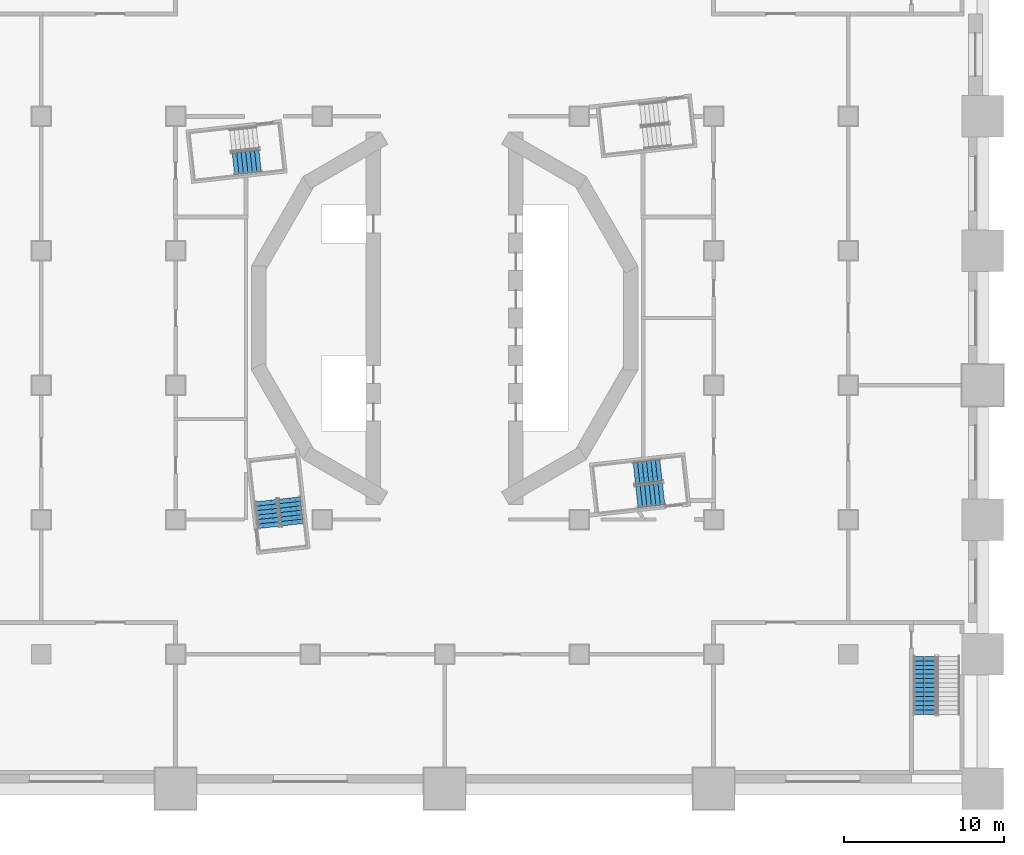
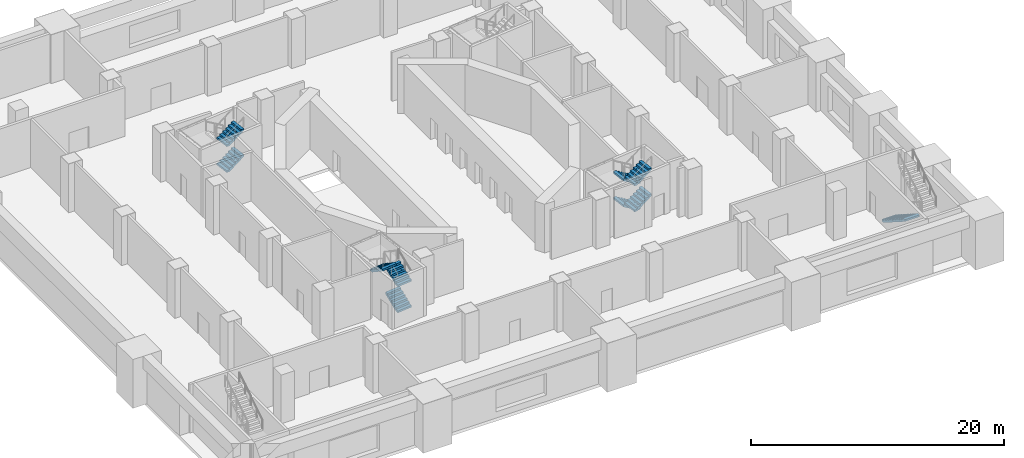
# One storey, part 6 of 17: 10 stair flights, 4 elements without a shape of their own.
"""IFC4 building model written with IfcOpenShell, lengths in metres."""

from ifc_helpers import new_model, si_unit, direction, frame, origin, place, context, subcontext, project, spatial, polyline, outline, extrude, material, type_object, element, aggregate, save


model = new_model("IFC4")

# Units and contexts
model_context = context("Model", 3, precision=1e-05, world=origin(), true_north=direction((0.0, 1.0)))
body_context = subcontext(model_context, "Body", "Model", "MODEL_VIEW")
ifc_project = project(units=[si_unit("LENGTHUNIT", "METRE"), si_unit("AREAUNIT", "SQUARE_METRE"), si_unit("VOLUMEUNIT", "CUBIC_METRE"), si_unit("PLANEANGLEUNIT", "RADIAN"), si_unit("MASSUNIT", "GRAM", prefix="KILO")], contexts=[model_context])

# Site, building, storey
site_placement = place(None, origin())
site = spatial("IfcSite", under=ifc_project, at=site_placement, CompositionType="ELEMENT")
building_placement = place(site_placement, origin())
building = spatial("IfcBuilding", under=site, at=building_placement, Name="Cantera Rosa Tower", CompositionType="ELEMENT")
storey_placement = place(building_placement, frame((0.0, 0.0, 27.0)))
storey = spatial("IfcBuildingStorey", under=building, at=storey_placement, Name="L04", CompositionType="ELEMENT", Elevation=27.0)

# Stair, stair flights
ifc_material_1 = material(Name="Concrete C35/45", Category="concrete")
stair_type_1 = type_object("IfcStairType", Name="EXIT STAIR 1350 DOGLEG", PredefinedType="HALF_TURN_STAIR", material=ifc_material_1)
stair_1_placement = place(storey_placement, origin())
stair_1 = element("IfcStair", 1, at=stair_1_placement, inside=storey, type_object=stair_type_1, Name="L04 ST-12", PredefinedType="HALF_TURN_STAIR")
ifc_material_2 = material(Name="Concrete C35/45", Category="concrete")
stair_flight_type_1 = type_object("IfcStairFlightType", Name="STAIR FLIGHT 1350 R28x179", PredefinedType="STRAIGHT", material=ifc_material_2)
stair_flight_1_placement = place(storey_placement, frame((-13.195556640625, 9.623779296875, 1.25), z_axis=(0.0, 0.0, 1.0), x_axis=(0.993896947056, 0.110312549749, 0.0)))
stair_flight_1 = element("IfcStairFlight", 2, at=stair_flight_1_placement, type_object=stair_flight_type_1, Name="ST-12 flight 2", NumberOfRisers=7, NumberOfTreads=6, PredefinedType="STRAIGHT", RiserHeight=0.178571429, TreadLength=0.28, context=body_context, shape_type="SweptSolid", body=[
    extrude(outline(polyline([(0.0, 0.0), (0.0, 0.178466796875), (0.280029296875, 0.178466796875), (0.280029296875, 0.357177734375), (0.56005859375, 0.357177734375), (0.56005859375, 0.53564453125), (0.840087890625, 0.53564453125), (0.840087890625, 0.71435546875), (1.1201171875, 0.71435546875), (1.1201171875, 0.892822265625), (1.39990234375, 0.892822265625), (1.39990234375, 1.071533203125), (1.679931640625, 1.071533203125), (1.679931640625, 1.25), (1.679931640625, 0.8935546875), (0.27880859375, 0.0), (0.0, 0.0)])), frame((0.0, 0.675048828125, 0.0), z_axis=(0.0, -1.0, 0.0), x_axis=(1.0, 0.0, 0.0)), (0.0, 0.0, 1.0), 0.3359375),
    extrude(outline(polyline([(0.0, 0.0), (0.0, 0.178466796875), (0.280029296875, 0.178466796875), (0.280029296875, 0.357177734375), (0.56005859375, 0.357177734375), (0.56005859375, 0.53564453125), (0.840087890625, 0.53564453125), (0.840087890625, 0.71435546875), (1.1201171875, 0.71435546875), (1.1201171875, 0.892822265625), (1.39990234375, 0.892822265625), (1.39990234375, 1.071533203125), (1.679931640625, 1.071533203125), (1.679931640625, 1.25), (1.679931640625, 0.8935546875), (0.27880859375, 0.0), (0.0, 0.0)])), frame((0.0, 0.337158203125, 0.0), z_axis=(0.0, -1.0, 0.0), x_axis=(1.0, 0.0, 0.0)), (0.0, 0.0, 1.0), 0.3359375),
    extrude(outline(polyline([(0.0, 0.0), (0.0, 0.178466796875), (0.280029296875, 0.178466796875), (0.280029296875, 0.357177734375), (0.56005859375, 0.357177734375), (0.56005859375, 0.53564453125), (0.840087890625, 0.53564453125), (0.840087890625, 0.71435546875), (1.1201171875, 0.71435546875), (1.1201171875, 0.892822265625), (1.39990234375, 0.892822265625), (1.39990234375, 1.071533203125), (1.679931640625, 1.071533203125), (1.679931640625, 1.25), (1.679931640625, 0.8935546875), (0.27880859375, 0.0), (0.0, 0.0)])), frame((0.0, -0.000732421875, 0.0), z_axis=(0.0, -1.0, 0.0), x_axis=(1.0, 0.0, 0.0)), (0.0, 0.0, 1.0), 0.3359375),
    extrude(outline(polyline([(0.0, 0.0), (0.0, 0.178466796875), (0.280029296875, 0.178466796875), (0.280029296875, 0.357177734375), (0.56005859375, 0.357177734375), (0.56005859375, 0.53564453125), (0.840087890625, 0.53564453125), (0.840087890625, 0.71435546875), (1.1201171875, 0.71435546875), (1.1201171875, 0.892822265625), (1.39990234375, 0.892822265625), (1.39990234375, 1.071533203125), (1.679931640625, 1.071533203125), (1.679931640625, 1.25), (1.679931640625, 0.8935546875), (0.27880859375, 0.0), (0.0, 0.0)])), frame((0.0, -0.338623046875, 0.0), z_axis=(0.0, -1.0, 0.0), x_axis=(1.0, 0.0, 0.0)), (0.0, 0.0, 1.0), 0.3359375),
])
stair_flight_2_placement = place(storey_placement, frame((-13.195556640625, 9.623779296875, 3.75), z_axis=(0.0, 0.0, 1.0), x_axis=(0.993896947056, 0.110312549749, 0.0)))
stair_flight_2 = element("IfcStairFlight", 3, at=stair_flight_2_placement, type_object=stair_flight_type_1, Name="ST-12 flight 4", NumberOfRisers=7, NumberOfTreads=6, PredefinedType="STRAIGHT", RiserHeight=0.178571429, TreadLength=0.28, context=body_context, shape_type="SweptSolid", body=[
    extrude(outline(polyline([(0.0, 0.0), (0.0, 0.178466796875), (0.280029296875, 0.178466796875), (0.280029296875, 0.357177734375), (0.56005859375, 0.357177734375), (0.56005859375, 0.53564453125), (0.840087890625, 0.53564453125), (0.840087890625, 0.71435546875), (1.1201171875, 0.71435546875), (1.1201171875, 0.892822265625), (1.39990234375, 0.892822265625), (1.39990234375, 1.071533203125), (1.679931640625, 1.071533203125), (1.679931640625, 1.25), (1.679931640625, 0.8935546875), (0.27880859375, 0.0), (0.0, 0.0)])), frame((0.0, 0.675048828125, 0.0), z_axis=(0.0, -1.0, 0.0), x_axis=(1.0, 0.0, 0.0)), (0.0, 0.0, 1.0), 0.3359375),
    extrude(outline(polyline([(0.0, 0.0), (0.0, 0.178466796875), (0.280029296875, 0.178466796875), (0.280029296875, 0.357177734375), (0.56005859375, 0.357177734375), (0.56005859375, 0.53564453125), (0.840087890625, 0.53564453125), (0.840087890625, 0.71435546875), (1.1201171875, 0.71435546875), (1.1201171875, 0.892822265625), (1.39990234375, 0.892822265625), (1.39990234375, 1.071533203125), (1.679931640625, 1.071533203125), (1.679931640625, 1.25), (1.679931640625, 0.8935546875), (0.27880859375, 0.0), (0.0, 0.0)])), frame((0.0, 0.337158203125, 0.0), z_axis=(0.0, -1.0, 0.0), x_axis=(1.0, 0.0, 0.0)), (0.0, 0.0, 1.0), 0.3359375),
    extrude(outline(polyline([(0.0, 0.0), (0.0, 0.178466796875), (0.280029296875, 0.178466796875), (0.280029296875, 0.357177734375), (0.56005859375, 0.357177734375), (0.56005859375, 0.53564453125), (0.840087890625, 0.53564453125), (0.840087890625, 0.71435546875), (1.1201171875, 0.71435546875), (1.1201171875, 0.892822265625), (1.39990234375, 0.892822265625), (1.39990234375, 1.071533203125), (1.679931640625, 1.071533203125), (1.679931640625, 1.25), (1.679931640625, 0.8935546875), (0.27880859375, 0.0), (0.0, 0.0)])), frame((0.0, -0.000732421875, 0.0), z_axis=(0.0, -1.0, 0.0), x_axis=(1.0, 0.0, 0.0)), (0.0, 0.0, 1.0), 0.3359375),
    extrude(outline(polyline([(0.0, 0.0), (0.0, 0.178466796875), (0.280029296875, 0.178466796875), (0.280029296875, 0.357177734375), (0.56005859375, 0.357177734375), (0.56005859375, 0.53564453125), (0.840087890625, 0.53564453125), (0.840087890625, 0.71435546875), (1.1201171875, 0.71435546875), (1.1201171875, 0.892822265625), (1.39990234375, 0.892822265625), (1.39990234375, 1.071533203125), (1.679931640625, 1.071533203125), (1.679931640625, 1.25), (1.679931640625, 0.8935546875), (0.27880859375, 0.0), (0.0, 0.0)])), frame((0.0, -0.338623046875, 0.0), z_axis=(0.0, -1.0, 0.0), x_axis=(1.0, 0.0, 0.0)), (0.0, 0.0, 1.0), 0.3359375),
])
aggregate(stair_1, [stair_flight_1, stair_flight_2])

stair_2_placement = place(storey_placement, origin())
stair_2 = element("IfcStair", 4, at=stair_2_placement, inside=storey, type_object=stair_type_1, Name="L04 ST-13", PredefinedType="HALF_TURN_STAIR")
stair_flight_3_placement = place(storey_placement, frame((-9.500244140625, -12.90869140625, 0.0), z_axis=(0.0, 0.0, 1.0), x_axis=(-0.110312549749, 0.993896947056, 0.0)))
stair_flight_3 = element("IfcStairFlight", 5, at=stair_flight_3_placement, type_object=stair_flight_type_1, Name="ST-13 flight 1", NumberOfRisers=7, NumberOfTreads=6, PredefinedType="STRAIGHT", RiserHeight=0.178571429, TreadLength=0.28, context=body_context, shape_type="SweptSolid", body=[
    extrude(outline(polyline([(0.0, 0.0), (0.0, 0.178466796875), (0.280029296875, 0.178466796875), (0.280029296875, 0.357177734375), (0.56005859375, 0.357177734375), (0.56005859375, 0.53564453125), (0.840087890625, 0.53564453125), (0.840087890625, 0.71435546875), (1.1201171875, 0.71435546875), (1.1201171875, 0.892822265625), (1.39990234375, 0.892822265625), (1.39990234375, 1.071533203125), (1.679931640625, 1.071533203125), (1.679931640625, 1.25), (1.679931640625, 0.8935546875), (0.27880859375, 0.0), (0.0, 0.0)])), frame((0.0, 0.675048828125, 0.0), z_axis=(0.0, -1.0, 0.0), x_axis=(1.0, 0.0, 0.0)), (0.0, 0.0, 1.0), 0.3359375),
    extrude(outline(polyline([(0.0, 0.0), (0.0, 0.178466796875), (0.280029296875, 0.178466796875), (0.280029296875, 0.357177734375), (0.56005859375, 0.357177734375), (0.56005859375, 0.53564453125), (0.840087890625, 0.53564453125), (0.840087890625, 0.71435546875), (1.1201171875, 0.71435546875), (1.1201171875, 0.892822265625), (1.39990234375, 0.892822265625), (1.39990234375, 1.071533203125), (1.679931640625, 1.071533203125), (1.679931640625, 1.25), (1.679931640625, 0.8935546875), (0.27880859375, 0.0), (0.0, 0.0)])), frame((0.0, 0.337158203125, 0.0), z_axis=(0.0, -1.0, 0.0), x_axis=(1.0, 0.0, 0.0)), (0.0, 0.0, 1.0), 0.3359375),
    extrude(outline(polyline([(0.0, 0.0), (0.0, 0.178466796875), (0.280029296875, 0.178466796875), (0.280029296875, 0.357177734375), (0.56005859375, 0.357177734375), (0.56005859375, 0.53564453125), (0.840087890625, 0.53564453125), (0.840087890625, 0.71435546875), (1.1201171875, 0.71435546875), (1.1201171875, 0.892822265625), (1.39990234375, 0.892822265625), (1.39990234375, 1.071533203125), (1.679931640625, 1.071533203125), (1.679931640625, 1.25), (1.679931640625, 0.8935546875), (0.27880859375, 0.0), (0.0, 0.0)])), frame((0.0, -0.000732421875, 0.0), z_axis=(0.0, -1.0, 0.0), x_axis=(1.0, 0.0, 0.0)), (0.0, 0.0, 1.0), 0.3359375),
    extrude(outline(polyline([(0.0, 0.0), (0.0, 0.178466796875), (0.280029296875, 0.178466796875), (0.280029296875, 0.357177734375), (0.56005859375, 0.357177734375), (0.56005859375, 0.53564453125), (0.840087890625, 0.53564453125), (0.840087890625, 0.71435546875), (1.1201171875, 0.71435546875), (1.1201171875, 0.892822265625), (1.39990234375, 0.892822265625), (1.39990234375, 1.071533203125), (1.679931640625, 1.071533203125), (1.679931640625, 1.25), (1.679931640625, 0.8935546875), (0.27880859375, 0.0), (0.0, 0.0)])), frame((0.0, -0.338623046875, 0.0), z_axis=(0.0, -1.0, 0.0), x_axis=(1.0, 0.0, 0.0)), (0.0, 0.0, 1.0), 0.3359375),
])
stair_flight_4_placement = place(storey_placement, frame((-9.500244140625, -12.90869140625, 2.5), z_axis=(0.0, 0.0, 1.0), x_axis=(-0.110312549749, 0.993896947056, 0.0)))
stair_flight_4 = element("IfcStairFlight", 6, at=stair_flight_4_placement, type_object=stair_flight_type_1, Name="ST-13 flight 3", NumberOfRisers=7, NumberOfTreads=6, PredefinedType="STRAIGHT", RiserHeight=0.178571429, TreadLength=0.28, context=body_context, shape_type="SweptSolid", body=[
    extrude(outline(polyline([(0.0, 0.0), (0.0, 0.178466796875), (0.280029296875, 0.178466796875), (0.280029296875, 0.357177734375), (0.56005859375, 0.357177734375), (0.56005859375, 0.53564453125), (0.840087890625, 0.53564453125), (0.840087890625, 0.71435546875), (1.1201171875, 0.71435546875), (1.1201171875, 0.892822265625), (1.39990234375, 0.892822265625), (1.39990234375, 1.071533203125), (1.679931640625, 1.071533203125), (1.679931640625, 1.25), (1.679931640625, 0.8935546875), (0.27880859375, 0.0), (0.0, 0.0)])), frame((0.0, 0.675048828125, 0.0), z_axis=(0.0, -1.0, 0.0), x_axis=(1.0, 0.0, 0.0)), (0.0, 0.0, 1.0), 0.3359375),
    extrude(outline(polyline([(0.0, 0.0), (0.0, 0.178466796875), (0.280029296875, 0.178466796875), (0.280029296875, 0.357177734375), (0.56005859375, 0.357177734375), (0.56005859375, 0.53564453125), (0.840087890625, 0.53564453125), (0.840087890625, 0.71435546875), (1.1201171875, 0.71435546875), (1.1201171875, 0.892822265625), (1.39990234375, 0.892822265625), (1.39990234375, 1.071533203125), (1.679931640625, 1.071533203125), (1.679931640625, 1.25), (1.679931640625, 0.8935546875), (0.27880859375, 0.0), (0.0, 0.0)])), frame((0.0, 0.337158203125, 0.0), z_axis=(0.0, -1.0, 0.0), x_axis=(1.0, 0.0, 0.0)), (0.0, 0.0, 1.0), 0.3359375),
    extrude(outline(polyline([(0.0, 0.0), (0.0, 0.178466796875), (0.280029296875, 0.178466796875), (0.280029296875, 0.357177734375), (0.56005859375, 0.357177734375), (0.56005859375, 0.53564453125), (0.840087890625, 0.53564453125), (0.840087890625, 0.71435546875), (1.1201171875, 0.71435546875), (1.1201171875, 0.892822265625), (1.39990234375, 0.892822265625), (1.39990234375, 1.071533203125), (1.679931640625, 1.071533203125), (1.679931640625, 1.25), (1.679931640625, 0.8935546875), (0.27880859375, 0.0), (0.0, 0.0)])), frame((0.0, -0.000732421875, 0.0), z_axis=(0.0, -1.0, 0.0), x_axis=(1.0, 0.0, 0.0)), (0.0, 0.0, 1.0), 0.3359375),
    extrude(outline(polyline([(0.0, 0.0), (0.0, 0.178466796875), (0.280029296875, 0.178466796875), (0.280029296875, 0.357177734375), (0.56005859375, 0.357177734375), (0.56005859375, 0.53564453125), (0.840087890625, 0.53564453125), (0.840087890625, 0.71435546875), (1.1201171875, 0.71435546875), (1.1201171875, 0.892822265625), (1.39990234375, 0.892822265625), (1.39990234375, 1.071533203125), (1.679931640625, 1.071533203125), (1.679931640625, 1.25), (1.679931640625, 0.8935546875), (0.27880859375, 0.0), (0.0, 0.0)])), frame((0.0, -0.338623046875, 0.0), z_axis=(0.0, -1.0, 0.0), x_axis=(1.0, 0.0, 0.0)), (0.0, 0.0, 1.0), 0.3359375),
])
stair_flight_5_placement = place(storey_placement, frame((-11.17626953125, -11.404541015625, 3.75), z_axis=(0.0, 0.0, 1.0), x_axis=(0.110312549749, -0.993896947056, 0.0)))
stair_flight_5 = element("IfcStairFlight", 7, at=stair_flight_5_placement, type_object=stair_flight_type_1, Name="ST-13 flight 4", NumberOfRisers=7, NumberOfTreads=6, PredefinedType="STRAIGHT", RiserHeight=0.178571429, TreadLength=0.28, context=body_context, shape_type="SweptSolid", body=[
    extrude(outline(polyline([(0.0, 0.0), (0.0, 0.178466796875), (0.280029296875, 0.178466796875), (0.280029296875, 0.357177734375), (0.56005859375, 0.357177734375), (0.56005859375, 0.53564453125), (0.840087890625, 0.53564453125), (0.840087890625, 0.71435546875), (1.1201171875, 0.71435546875), (1.1201171875, 0.892822265625), (1.39990234375, 0.892822265625), (1.39990234375, 1.071533203125), (1.679931640625, 1.071533203125), (1.679931640625, 1.25), (1.679931640625, 0.8935546875), (0.27880859375, 0.0), (0.0, 0.0)])), frame((0.0, 0.675048828125, 0.0), z_axis=(0.0, -1.0, 0.0), x_axis=(1.0, 0.0, 0.0)), (0.0, 0.0, 1.0), 0.3359375),
    extrude(outline(polyline([(0.0, 0.0), (0.0, 0.178466796875), (0.280029296875, 0.178466796875), (0.280029296875, 0.357177734375), (0.56005859375, 0.357177734375), (0.56005859375, 0.53564453125), (0.840087890625, 0.53564453125), (0.840087890625, 0.71435546875), (1.1201171875, 0.71435546875), (1.1201171875, 0.892822265625), (1.39990234375, 0.892822265625), (1.39990234375, 1.071533203125), (1.679931640625, 1.071533203125), (1.679931640625, 1.25), (1.679931640625, 0.8935546875), (0.27880859375, 0.0), (0.0, 0.0)])), frame((0.0, 0.337158203125, 0.0), z_axis=(0.0, -1.0, 0.0), x_axis=(1.0, 0.0, 0.0)), (0.0, 0.0, 1.0), 0.3359375),
    extrude(outline(polyline([(0.0, 0.0), (0.0, 0.178466796875), (0.280029296875, 0.178466796875), (0.280029296875, 0.357177734375), (0.56005859375, 0.357177734375), (0.56005859375, 0.53564453125), (0.840087890625, 0.53564453125), (0.840087890625, 0.71435546875), (1.1201171875, 0.71435546875), (1.1201171875, 0.892822265625), (1.39990234375, 0.892822265625), (1.39990234375, 1.071533203125), (1.679931640625, 1.071533203125), (1.679931640625, 1.25), (1.679931640625, 0.8935546875), (0.27880859375, 0.0), (0.0, 0.0)])), frame((0.0, -0.000732421875, 0.0), z_axis=(0.0, -1.0, 0.0), x_axis=(1.0, 0.0, 0.0)), (0.0, 0.0, 1.0), 0.3359375),
    extrude(outline(polyline([(0.0, 0.0), (0.0, 0.178466796875), (0.280029296875, 0.178466796875), (0.280029296875, 0.357177734375), (0.56005859375, 0.357177734375), (0.56005859375, 0.53564453125), (0.840087890625, 0.53564453125), (0.840087890625, 0.71435546875), (1.1201171875, 0.71435546875), (1.1201171875, 0.892822265625), (1.39990234375, 0.892822265625), (1.39990234375, 1.071533203125), (1.679931640625, 1.071533203125), (1.679931640625, 1.25), (1.679931640625, 0.8935546875), (0.27880859375, 0.0), (0.0, 0.0)])), frame((0.0, -0.338623046875, 0.0), z_axis=(0.0, -1.0, 0.0), x_axis=(1.0, 0.0, 0.0)), (0.0, 0.0, 1.0), 0.3359375),
])
aggregate(stair_2, [stair_flight_3, stair_flight_4, stair_flight_5])

stair_3_placement = place(storey_placement, origin())
stair_3 = element("IfcStair", 8, at=stair_3_placement, inside=storey, type_object=stair_type_1, Name="L04 ST-14", PredefinedType="HALF_TURN_STAIR")
stair_flight_6_placement = place(storey_placement, frame((13.5087890625, -9.500244140625, 0.0), z_axis=(0.0, 0.0, 1.0), x_axis=(-0.993896947056, -0.110312549749, 0.0)))
stair_flight_6 = element("IfcStairFlight", 9, at=stair_flight_6_placement, type_object=stair_flight_type_1, Name="ST-14 flight 1", NumberOfRisers=7, NumberOfTreads=6, PredefinedType="STRAIGHT", RiserHeight=0.178571429, TreadLength=0.28, context=body_context, shape_type="SweptSolid", body=[
    extrude(outline(polyline([(0.0, 0.0), (0.0, 0.178466796875), (0.280029296875, 0.178466796875), (0.280029296875, 0.357177734375), (0.56005859375, 0.357177734375), (0.56005859375, 0.53564453125), (0.840087890625, 0.53564453125), (0.840087890625, 0.71435546875), (1.1201171875, 0.71435546875), (1.1201171875, 0.892822265625), (1.39990234375, 0.892822265625), (1.39990234375, 1.071533203125), (1.679931640625, 1.071533203125), (1.679931640625, 1.25), (1.679931640625, 0.8935546875), (0.27880859375, 0.0), (0.0, 0.0)])), frame((0.0, 0.675048828125, 0.0), z_axis=(0.0, -1.0, 0.0), x_axis=(1.0, 0.0, 0.0)), (0.0, 0.0, 1.0), 0.3359375),
    extrude(outline(polyline([(0.0, 0.0), (0.0, 0.178466796875), (0.280029296875, 0.178466796875), (0.280029296875, 0.357177734375), (0.56005859375, 0.357177734375), (0.56005859375, 0.53564453125), (0.840087890625, 0.53564453125), (0.840087890625, 0.71435546875), (1.1201171875, 0.71435546875), (1.1201171875, 0.892822265625), (1.39990234375, 0.892822265625), (1.39990234375, 1.071533203125), (1.679931640625, 1.071533203125), (1.679931640625, 1.25), (1.679931640625, 0.8935546875), (0.27880859375, 0.0), (0.0, 0.0)])), frame((0.0, 0.337158203125, 0.0), z_axis=(0.0, -1.0, 0.0), x_axis=(1.0, 0.0, 0.0)), (0.0, 0.0, 1.0), 0.3359375),
    extrude(outline(polyline([(0.0, 0.0), (0.0, 0.178466796875), (0.280029296875, 0.178466796875), (0.280029296875, 0.357177734375), (0.56005859375, 0.357177734375), (0.56005859375, 0.53564453125), (0.840087890625, 0.53564453125), (0.840087890625, 0.71435546875), (1.1201171875, 0.71435546875), (1.1201171875, 0.892822265625), (1.39990234375, 0.892822265625), (1.39990234375, 1.071533203125), (1.679931640625, 1.071533203125), (1.679931640625, 1.25), (1.679931640625, 0.8935546875), (0.27880859375, 0.0), (0.0, 0.0)])), frame((0.0, -0.000732421875, 0.0), z_axis=(0.0, -1.0, 0.0), x_axis=(1.0, 0.0, 0.0)), (0.0, 0.0, 1.0), 0.3359375),
    extrude(outline(polyline([(0.0, 0.0), (0.0, 0.178466796875), (0.280029296875, 0.178466796875), (0.280029296875, 0.357177734375), (0.56005859375, 0.357177734375), (0.56005859375, 0.53564453125), (0.840087890625, 0.53564453125), (0.840087890625, 0.71435546875), (1.1201171875, 0.71435546875), (1.1201171875, 0.892822265625), (1.39990234375, 0.892822265625), (1.39990234375, 1.071533203125), (1.679931640625, 1.071533203125), (1.679931640625, 1.25), (1.679931640625, 0.8935546875), (0.27880859375, 0.0), (0.0, 0.0)])), frame((0.0, -0.338623046875, 0.0), z_axis=(0.0, -1.0, 0.0), x_axis=(1.0, 0.0, 0.0)), (0.0, 0.0, 1.0), 0.3359375),
])
stair_flight_7_placement = place(storey_placement, frame((12.00439453125, -11.17626953125, 1.25), z_axis=(0.0, 0.0, 1.0), x_axis=(0.993896947056, 0.110312549749, 0.0)))
stair_flight_7 = element("IfcStairFlight", 10, at=stair_flight_7_placement, type_object=stair_flight_type_1, Name="ST-14 flight 2", NumberOfRisers=7, NumberOfTreads=6, PredefinedType="STRAIGHT", RiserHeight=0.178571429, TreadLength=0.28, context=body_context, shape_type="SweptSolid", body=[
    extrude(outline(polyline([(0.0, 0.0), (0.0, 0.178466796875), (0.280029296875, 0.178466796875), (0.280029296875, 0.357177734375), (0.56005859375, 0.357177734375), (0.56005859375, 0.53564453125), (0.840087890625, 0.53564453125), (0.840087890625, 0.71435546875), (1.1201171875, 0.71435546875), (1.1201171875, 0.892822265625), (1.39990234375, 0.892822265625), (1.39990234375, 1.071533203125), (1.679931640625, 1.071533203125), (1.679931640625, 1.25), (1.679931640625, 0.8935546875), (0.27880859375, 0.0), (0.0, 0.0)])), frame((0.0, 0.675048828125, 0.0), z_axis=(0.0, -1.0, 0.0), x_axis=(1.0, 0.0, 0.0)), (0.0, 0.0, 1.0), 0.3359375),
    extrude(outline(polyline([(0.0, 0.0), (0.0, 0.178466796875), (0.280029296875, 0.178466796875), (0.280029296875, 0.357177734375), (0.56005859375, 0.357177734375), (0.56005859375, 0.53564453125), (0.840087890625, 0.53564453125), (0.840087890625, 0.71435546875), (1.1201171875, 0.71435546875), (1.1201171875, 0.892822265625), (1.39990234375, 0.892822265625), (1.39990234375, 1.071533203125), (1.679931640625, 1.071533203125), (1.679931640625, 1.25), (1.679931640625, 0.8935546875), (0.27880859375, 0.0), (0.0, 0.0)])), frame((0.0, 0.337158203125, 0.0), z_axis=(0.0, -1.0, 0.0), x_axis=(1.0, 0.0, 0.0)), (0.0, 0.0, 1.0), 0.3359375),
    extrude(outline(polyline([(0.0, 0.0), (0.0, 0.178466796875), (0.280029296875, 0.178466796875), (0.280029296875, 0.357177734375), (0.56005859375, 0.357177734375), (0.56005859375, 0.53564453125), (0.840087890625, 0.53564453125), (0.840087890625, 0.71435546875), (1.1201171875, 0.71435546875), (1.1201171875, 0.892822265625), (1.39990234375, 0.892822265625), (1.39990234375, 1.071533203125), (1.679931640625, 1.071533203125), (1.679931640625, 1.25), (1.679931640625, 0.8935546875), (0.27880859375, 0.0), (0.0, 0.0)])), frame((0.0, -0.000732421875, 0.0), z_axis=(0.0, -1.0, 0.0), x_axis=(1.0, 0.0, 0.0)), (0.0, 0.0, 1.0), 0.3359375),
    extrude(outline(polyline([(0.0, 0.0), (0.0, 0.178466796875), (0.280029296875, 0.178466796875), (0.280029296875, 0.357177734375), (0.56005859375, 0.357177734375), (0.56005859375, 0.53564453125), (0.840087890625, 0.53564453125), (0.840087890625, 0.71435546875), (1.1201171875, 0.71435546875), (1.1201171875, 0.892822265625), (1.39990234375, 0.892822265625), (1.39990234375, 1.071533203125), (1.679931640625, 1.071533203125), (1.679931640625, 1.25), (1.679931640625, 0.8935546875), (0.27880859375, 0.0), (0.0, 0.0)])), frame((0.0, -0.338623046875, 0.0), z_axis=(0.0, -1.0, 0.0), x_axis=(1.0, 0.0, 0.0)), (0.0, 0.0, 1.0), 0.3359375),
])
stair_flight_8_placement = place(storey_placement, frame((13.5087890625, -9.500244140625, 2.5), z_axis=(0.0, 0.0, 1.0), x_axis=(-0.993896947056, -0.110312549749, 0.0)))
stair_flight_8 = element("IfcStairFlight", 11, at=stair_flight_8_placement, type_object=stair_flight_type_1, Name="ST-14 flight 3", NumberOfRisers=7, NumberOfTreads=6, PredefinedType="STRAIGHT", RiserHeight=0.178571429, TreadLength=0.28, context=body_context, shape_type="SweptSolid", body=[
    extrude(outline(polyline([(0.0, 0.0), (0.0, 0.178466796875), (0.280029296875, 0.178466796875), (0.280029296875, 0.357177734375), (0.56005859375, 0.357177734375), (0.56005859375, 0.53564453125), (0.840087890625, 0.53564453125), (0.840087890625, 0.71435546875), (1.1201171875, 0.71435546875), (1.1201171875, 0.892822265625), (1.39990234375, 0.892822265625), (1.39990234375, 1.071533203125), (1.679931640625, 1.071533203125), (1.679931640625, 1.25), (1.679931640625, 0.8935546875), (0.27880859375, 0.0), (0.0, 0.0)])), frame((0.0, 0.675048828125, 0.0), z_axis=(0.0, -1.0, 0.0), x_axis=(1.0, 0.0, 0.0)), (0.0, 0.0, 1.0), 0.3359375),
    extrude(outline(polyline([(0.0, 0.0), (0.0, 0.178466796875), (0.280029296875, 0.178466796875), (0.280029296875, 0.357177734375), (0.56005859375, 0.357177734375), (0.56005859375, 0.53564453125), (0.840087890625, 0.53564453125), (0.840087890625, 0.71435546875), (1.1201171875, 0.71435546875), (1.1201171875, 0.892822265625), (1.39990234375, 0.892822265625), (1.39990234375, 1.071533203125), (1.679931640625, 1.071533203125), (1.679931640625, 1.25), (1.679931640625, 0.8935546875), (0.27880859375, 0.0), (0.0, 0.0)])), frame((0.0, 0.337158203125, 0.0), z_axis=(0.0, -1.0, 0.0), x_axis=(1.0, 0.0, 0.0)), (0.0, 0.0, 1.0), 0.3359375),
    extrude(outline(polyline([(0.0, 0.0), (0.0, 0.178466796875), (0.280029296875, 0.178466796875), (0.280029296875, 0.357177734375), (0.56005859375, 0.357177734375), (0.56005859375, 0.53564453125), (0.840087890625, 0.53564453125), (0.840087890625, 0.71435546875), (1.1201171875, 0.71435546875), (1.1201171875, 0.892822265625), (1.39990234375, 0.892822265625), (1.39990234375, 1.071533203125), (1.679931640625, 1.071533203125), (1.679931640625, 1.25), (1.679931640625, 0.8935546875), (0.27880859375, 0.0), (0.0, 0.0)])), frame((0.0, -0.000732421875, 0.0), z_axis=(0.0, -1.0, 0.0), x_axis=(1.0, 0.0, 0.0)), (0.0, 0.0, 1.0), 0.3359375),
    extrude(outline(polyline([(0.0, 0.0), (0.0, 0.178466796875), (0.280029296875, 0.178466796875), (0.280029296875, 0.357177734375), (0.56005859375, 0.357177734375), (0.56005859375, 0.53564453125), (0.840087890625, 0.53564453125), (0.840087890625, 0.71435546875), (1.1201171875, 0.71435546875), (1.1201171875, 0.892822265625), (1.39990234375, 0.892822265625), (1.39990234375, 1.071533203125), (1.679931640625, 1.071533203125), (1.679931640625, 1.25), (1.679931640625, 0.8935546875), (0.27880859375, 0.0), (0.0, 0.0)])), frame((0.0, -0.338623046875, 0.0), z_axis=(0.0, -1.0, 0.0), x_axis=(1.0, 0.0, 0.0)), (0.0, 0.0, 1.0), 0.3359375),
])
stair_flight_9_placement = place(storey_placement, frame((12.00439453125, -11.17626953125, 3.75), z_axis=(0.0, 0.0, 1.0), x_axis=(0.993896947056, 0.110312549749, 0.0)))
stair_flight_9 = element("IfcStairFlight", 12, at=stair_flight_9_placement, type_object=stair_flight_type_1, Name="ST-14 flight 4", NumberOfRisers=7, NumberOfTreads=6, PredefinedType="STRAIGHT", RiserHeight=0.178571429, TreadLength=0.28, context=body_context, shape_type="SweptSolid", body=[
    extrude(outline(polyline([(0.0, 0.0), (0.0, 0.178466796875), (0.280029296875, 0.178466796875), (0.280029296875, 0.357177734375), (0.56005859375, 0.357177734375), (0.56005859375, 0.53564453125), (0.840087890625, 0.53564453125), (0.840087890625, 0.71435546875), (1.1201171875, 0.71435546875), (1.1201171875, 0.892822265625), (1.39990234375, 0.892822265625), (1.39990234375, 1.071533203125), (1.679931640625, 1.071533203125), (1.679931640625, 1.25), (1.679931640625, 0.8935546875), (0.27880859375, 0.0), (0.0, 0.0)])), frame((0.0, 0.675048828125, 0.0), z_axis=(0.0, -1.0, 0.0), x_axis=(1.0, 0.0, 0.0)), (0.0, 0.0, 1.0), 0.3359375),
    extrude(outline(polyline([(0.0, 0.0), (0.0, 0.178466796875), (0.280029296875, 0.178466796875), (0.280029296875, 0.357177734375), (0.56005859375, 0.357177734375), (0.56005859375, 0.53564453125), (0.840087890625, 0.53564453125), (0.840087890625, 0.71435546875), (1.1201171875, 0.71435546875), (1.1201171875, 0.892822265625), (1.39990234375, 0.892822265625), (1.39990234375, 1.071533203125), (1.679931640625, 1.071533203125), (1.679931640625, 1.25), (1.679931640625, 0.8935546875), (0.27880859375, 0.0), (0.0, 0.0)])), frame((0.0, 0.337158203125, 0.0), z_axis=(0.0, -1.0, 0.0), x_axis=(1.0, 0.0, 0.0)), (0.0, 0.0, 1.0), 0.3359375),
    extrude(outline(polyline([(0.0, 0.0), (0.0, 0.178466796875), (0.280029296875, 0.178466796875), (0.280029296875, 0.357177734375), (0.56005859375, 0.357177734375), (0.56005859375, 0.53564453125), (0.840087890625, 0.53564453125), (0.840087890625, 0.71435546875), (1.1201171875, 0.71435546875), (1.1201171875, 0.892822265625), (1.39990234375, 0.892822265625), (1.39990234375, 1.071533203125), (1.679931640625, 1.071533203125), (1.679931640625, 1.25), (1.679931640625, 0.8935546875), (0.27880859375, 0.0), (0.0, 0.0)])), frame((0.0, -0.000732421875, 0.0), z_axis=(0.0, -1.0, 0.0), x_axis=(1.0, 0.0, 0.0)), (0.0, 0.0, 1.0), 0.3359375),
    extrude(outline(polyline([(0.0, 0.0), (0.0, 0.178466796875), (0.280029296875, 0.178466796875), (0.280029296875, 0.357177734375), (0.56005859375, 0.357177734375), (0.56005859375, 0.53564453125), (0.840087890625, 0.53564453125), (0.840087890625, 0.71435546875), (1.1201171875, 0.71435546875), (1.1201171875, 0.892822265625), (1.39990234375, 0.892822265625), (1.39990234375, 1.071533203125), (1.679931640625, 1.071533203125), (1.679931640625, 1.25), (1.679931640625, 0.8935546875), (0.27880859375, 0.0), (0.0, 0.0)])), frame((0.0, -0.338623046875, 0.0), z_axis=(0.0, -1.0, 0.0), x_axis=(1.0, 0.0, 0.0)), (0.0, 0.0, 1.0), 0.3359375),
])
aggregate(stair_3, [stair_flight_6, stair_flight_7, stair_flight_8, stair_flight_9])

# Stair, stair flight
ifc_material_3 = material(Name="Concrete C35/45", Category="concrete")
stair_type_2 = type_object("IfcStairType", Name="Stair half-turn 1350", PredefinedType="HALF_TURN_STAIR", material=ifc_material_3)
stair_4_placement = place(storey_placement, origin())
stair_4 = element("IfcStair", 13, at=stair_4_placement, inside=storey, type_object=stair_type_2, Name="L04 ST-SE", PredefinedType="HALF_TURN_STAIR")
ifc_material_4 = material(Name="Concrete C35/45", Category="concrete")
stair_flight_type_2 = type_object("IfcStairFlightType", Name="Stair flight 1350", PredefinedType="STRAIGHT", material=ifc_material_4)
stair_flight_10_placement = place(storey_placement, frame((29.949951171875, -21.125, 0.0), z_axis=(0.0, 0.0, 1.0), x_axis=(0.0, -1.0, 0.0)))
stair_flight_10 = element("IfcStairFlight", 14, at=stair_flight_10_placement, type_object=stair_flight_type_2, Name="ST-SE flight 1", NumberOfRisers=14, NumberOfTreads=13, PredefinedType="STRAIGHT", RiserHeight=0.178571429, TreadLength=0.28, context=body_context, shape_type="SweptSolid", body=[
    extrude(outline(polyline([(0.0, 0.0), (0.0, 0.178466796875), (0.280029296875, 0.178466796875), (0.280029296875, 0.357177734375), (0.56005859375, 0.357177734375), (0.56005859375, 0.53564453125), (0.840087890625, 0.53564453125), (0.840087890625, 0.71435546875), (1.1201171875, 0.71435546875), (1.1201171875, 0.892822265625), (1.39990234375, 0.892822265625), (1.39990234375, 1.071533203125), (1.679931640625, 1.071533203125), (1.679931640625, 1.25), (1.9599609375, 1.25), (1.9599609375, 1.428466796875), (2.239990234375, 1.428466796875), (2.239990234375, 1.607177734375), (2.52001953125, 1.607177734375), (2.52001953125, 1.78564453125), (2.800048828125, 1.78564453125), (2.800048828125, 1.96435546875), (3.080078125, 1.96435546875), (3.080078125, 2.142822265625), (3.360107421875, 2.142822265625), (3.360107421875, 2.321533203125), (3.639892578125, 2.321533203125), (3.639892578125, 2.5), (3.639892578125, 2.1435546875), (0.27880859375, 0.0), (0.0, 0.0)])), frame((0.0, 0.675048828125, 0.0), z_axis=(0.0, -1.0, 0.0), x_axis=(1.0, 0.0, 0.0)), (0.0, 0.0, 1.0), 0.3359375),
    extrude(outline(polyline([(0.0, 0.0), (0.0, 0.178466796875), (0.280029296875, 0.178466796875), (0.280029296875, 0.357177734375), (0.56005859375, 0.357177734375), (0.56005859375, 0.53564453125), (0.840087890625, 0.53564453125), (0.840087890625, 0.71435546875), (1.1201171875, 0.71435546875), (1.1201171875, 0.892822265625), (1.39990234375, 0.892822265625), (1.39990234375, 1.071533203125), (1.679931640625, 1.071533203125), (1.679931640625, 1.25), (1.9599609375, 1.25), (1.9599609375, 1.428466796875), (2.239990234375, 1.428466796875), (2.239990234375, 1.607177734375), (2.52001953125, 1.607177734375), (2.52001953125, 1.78564453125), (2.800048828125, 1.78564453125), (2.800048828125, 1.96435546875), (3.080078125, 1.96435546875), (3.080078125, 2.142822265625), (3.360107421875, 2.142822265625), (3.360107421875, 2.321533203125), (3.639892578125, 2.321533203125), (3.639892578125, 2.5), (3.639892578125, 2.1435546875), (0.27880859375, 0.0), (0.0, 0.0)])), frame((0.0, 0.337158203125, 0.0), z_axis=(0.0, -1.0, 0.0), x_axis=(1.0, 0.0, 0.0)), (0.0, 0.0, 1.0), 0.3359375),
    extrude(outline(polyline([(0.0, 0.0), (0.0, 0.178466796875), (0.280029296875, 0.178466796875), (0.280029296875, 0.357177734375), (0.56005859375, 0.357177734375), (0.56005859375, 0.53564453125), (0.840087890625, 0.53564453125), (0.840087890625, 0.71435546875), (1.1201171875, 0.71435546875), (1.1201171875, 0.892822265625), (1.39990234375, 0.892822265625), (1.39990234375, 1.071533203125), (1.679931640625, 1.071533203125), (1.679931640625, 1.25), (1.9599609375, 1.25), (1.9599609375, 1.428466796875), (2.239990234375, 1.428466796875), (2.239990234375, 1.607177734375), (2.52001953125, 1.607177734375), (2.52001953125, 1.78564453125), (2.800048828125, 1.78564453125), (2.800048828125, 1.96435546875), (3.080078125, 1.96435546875), (3.080078125, 2.142822265625), (3.360107421875, 2.142822265625), (3.360107421875, 2.321533203125), (3.639892578125, 2.321533203125), (3.639892578125, 2.5), (3.639892578125, 2.1435546875), (0.27880859375, 0.0), (0.0, 0.0)])), frame((0.0, -0.000732421875, 0.0), z_axis=(0.0, -1.0, 0.0), x_axis=(1.0, 0.0, 0.0)), (0.0, 0.0, 1.0), 0.3359375),
    extrude(outline(polyline([(0.0, 0.0), (0.0, 0.178466796875), (0.280029296875, 0.178466796875), (0.280029296875, 0.357177734375), (0.56005859375, 0.357177734375), (0.56005859375, 0.53564453125), (0.840087890625, 0.53564453125), (0.840087890625, 0.71435546875), (1.1201171875, 0.71435546875), (1.1201171875, 0.892822265625), (1.39990234375, 0.892822265625), (1.39990234375, 1.071533203125), (1.679931640625, 1.071533203125), (1.679931640625, 1.25), (1.9599609375, 1.25), (1.9599609375, 1.428466796875), (2.239990234375, 1.428466796875), (2.239990234375, 1.607177734375), (2.52001953125, 1.607177734375), (2.52001953125, 1.78564453125), (2.800048828125, 1.78564453125), (2.800048828125, 1.96435546875), (3.080078125, 1.96435546875), (3.080078125, 2.142822265625), (3.360107421875, 2.142822265625), (3.360107421875, 2.321533203125), (3.639892578125, 2.321533203125), (3.639892578125, 2.5), (3.639892578125, 2.1435546875), (0.27880859375, 0.0), (0.0, 0.0)])), frame((0.0, -0.338623046875, 0.0), z_axis=(0.0, -1.0, 0.0), x_axis=(1.0, 0.0, 0.0)), (0.0, 0.0, 1.0), 0.3359375),
])
aggregate(stair_4, [stair_flight_10])

save(model, "model.ifc")
